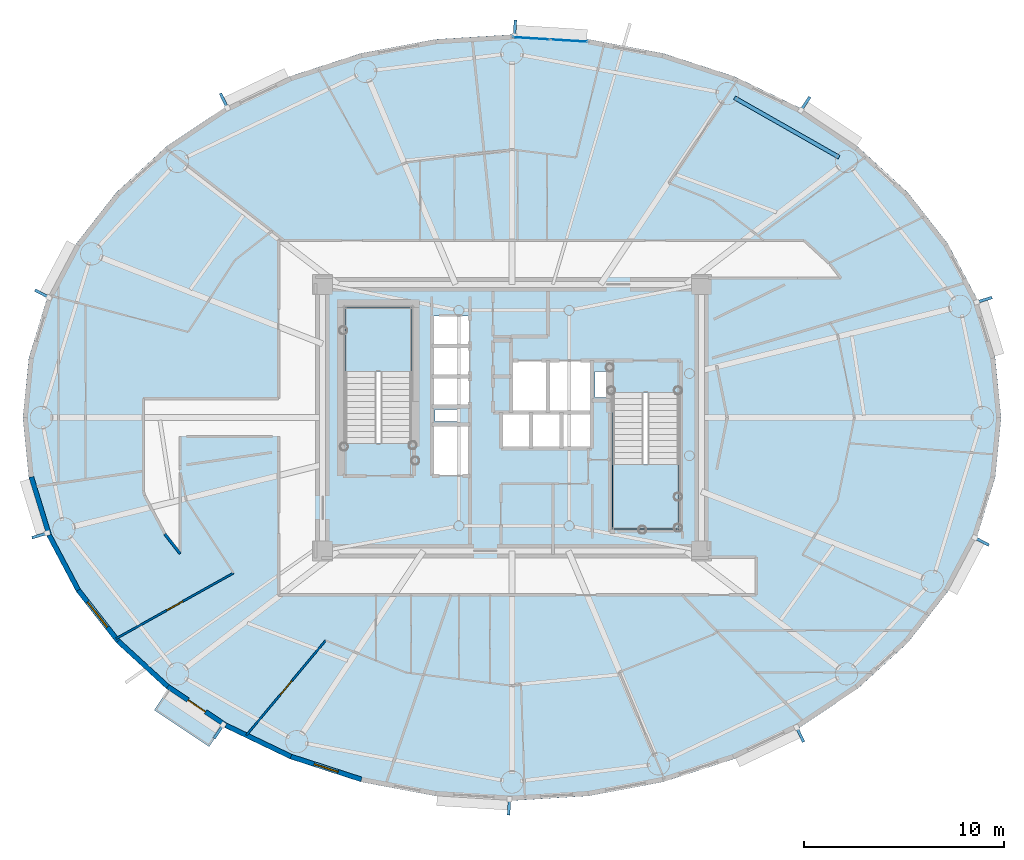
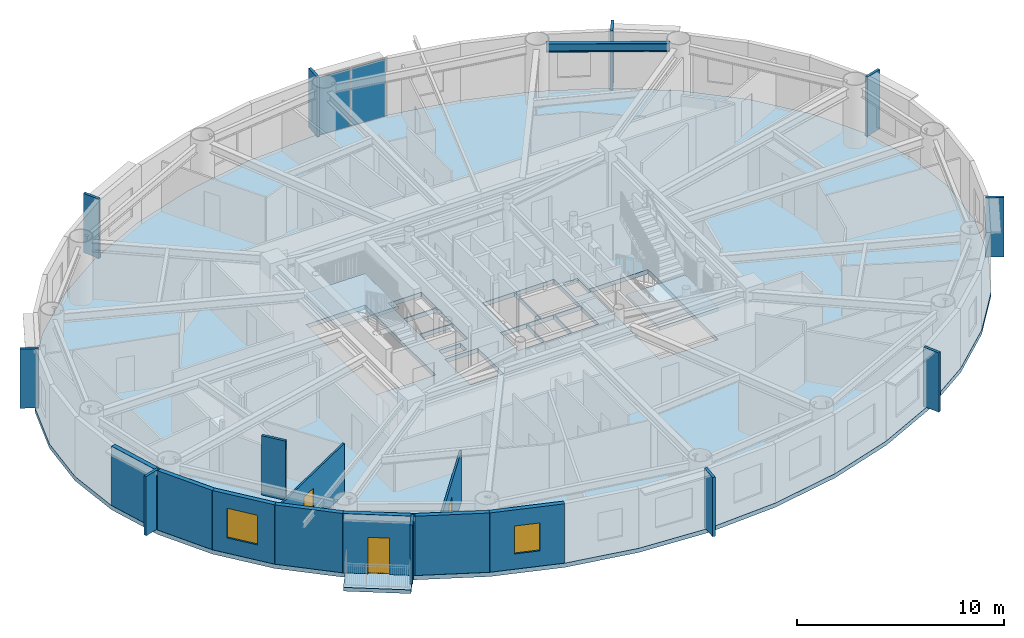
# One storey, part 6 of 19: 12 plates, 10 walls, 4 slabs, 3 doors, 2 windows, 1 beam, 5 openings, 3 elements without a shape of their own.
"""IFC4 building model written with IfcOpenShell, lengths in metres."""

from ifc_helpers import new_model, si_unit, direction, frame, frame_2d, origin, origin_2d, place, context, subcontext, project, spatial, polyline, rectangle, i_section, outline, extrude, source, transform, mapped, material, layer, layer_set, material_profile, profile_set, type_object, element, fill, aggregate, save


model = new_model("IFC4")

# Units and contexts
model_context = context("Model", 3, precision=1e-05, world=origin(), true_north=direction((0.0, 1.0)))
body_context = subcontext(model_context, "Body", "Model", "MODEL_VIEW")
ifc_project = project(units=[si_unit("LENGTHUNIT", "METRE"), si_unit("AREAUNIT", "SQUARE_METRE"), si_unit("VOLUMEUNIT", "CUBIC_METRE"), si_unit("PLANEANGLEUNIT", "RADIAN"), si_unit("MASSUNIT", "GRAM", prefix="KILO")], contexts=[model_context])

# Site, building, storey
site_placement = place(None, origin())
site = spatial("IfcSite", under=ifc_project, at=site_placement, CompositionType="ELEMENT")
building_placement = place(site_placement, origin())
building = spatial("IfcBuilding", under=site, at=building_placement, Name="Linh Dai School and Residence Tower", CompositionType="ELEMENT")
storey_placement = place(building_placement, frame((0.0, 0.0, 236.550048828125)))
storey = spatial("IfcBuildingStorey", under=building, at=storey_placement, Name="L58", CompositionType="ELEMENT", Elevation=236.550048828125)

# Beam
ifc_material_1 = material(Name="Structural Steel S355JR", Category="steel")
ifc_material_profile = material_profile(ifc_material_1, i_section(OverallWidth=0.199951171875, OverallDepth=0.5, WebThickness=0.01025390625, FlangeThickness=0.01611328125, FilletRadius=0.02099609375, at=origin_2d()), Name="IPE 500")
ifc_profile_set = profile_set([ifc_material_profile], Name="Structural Steel S355JR")
beam_type = type_object("IfcBeamType", Name="BM-RB50", PredefinedType="BEAM", material=ifc_profile_set)
beam_placement = place(storey_placement, frame((52.318115234375, 39.988525390625, 3.25), z_axis=(-0.869297314463, 0.494289570058, 0.0), x_axis=(-0.494289570058, -0.869297314463, 0.0)))
element("IfcBeam", 1, at=beam_placement, inside=storey, type_object=beam_type, Name="L58 Perimeter Elliptical Ring Beam 03", PredefinedType="BEAM", context=body_context, shape_type="SweptSolid", body=[
    extrude(i_section(OverallWidth=0.199951171875, OverallDepth=0.5, WebThickness=0.01025390625, FlangeThickness=0.01611328125, FilletRadius=0.02099609375, at=origin_2d()), origin(), (0.0, 0.0, 1.0), 6.003173828125),
])

# Slabs
ifc_material_2 = material(Name="Concrete B45 (C35/45)", Category="concrete")
ifc_layer_1 = layer(ifc_material_2, 0.219970703125)
ifc_layer_set_1 = layer_set([ifc_layer_1], Name="Concrete B45 (C35/45)")
slab_type_1 = type_object("IfcSlabType", Name="SLB-BALC-220", PredefinedType="FLOOR", material=ifc_layer_set_1)
slab_1_placement = place(storey_placement, frame((0.0, 0.0, -0.219970703125)))
element("IfcSlab", 2, at=slab_1_placement, inside=storey, type_object=slab_type_1, Name="L58 Sliding Balcony Slab 26", PredefinedType="FLOOR", context=body_context, shape_type="SweptSolid", body=[
    extrude(outline(polyline([(21.61181640625, 11.670654296875), (18.8818359375, 13.49609375), (18.1591796875, 12.41552734375), (20.88916015625, 10.58984375), (21.61181640625, 11.670654296875)])), origin(), (0.0, 0.0, 1.0), 0.219970703125),
])
ifc_layer_2 = layer(ifc_material_2, 0.25)
ifc_layer_set_2 = layer_set([ifc_layer_2], Name="Concrete B45 (C35/45)")
slab_type_2 = type_object("IfcSlabType", Name="SLB-FLR250", PredefinedType="FLOOR", material=ifc_layer_set_2)
slab_2_placement = place(storey_placement, frame((0.0, 0.0, -0.25)))
element("IfcSlab", 3, at=slab_2_placement, inside=storey, type_object=slab_type_2, Name="L58 Composite Structural Floor Slab", PredefinedType="FLOOR", context=body_context, shape_type="SweptSolid", body=[
    extrude(outline(polyline([(60.39990234375, 27.0), (60.099609375, 29.98876953125), (59.205810546875, 32.90380859375), (57.740478515625, 35.673583984375), (55.739990234375, 38.229736328125), (53.25341796875, 40.50927734375), (50.342041015625, 42.456298828125), (47.077392578125, 44.022705078125), (43.5400390625, 45.169921875), (39.81689453125, 45.869873046875), (36.0, 46.10498046875), (32.18310546875, 45.869873046875), (28.4599609375, 45.169921875), (24.922607421875, 44.022705078125), (21.657958984375, 42.456298828125), (18.74658203125, 40.50927734375), (16.260009765625, 38.229736328125), (14.259521484375, 35.673583984375), (12.794189453125, 32.90380859375), (11.900390625, 29.98876953125), (11.60009765625, 27.0), (11.900390625, 24.01123046875), (12.794189453125, 21.09619140625), (14.259521484375, 18.326416015625), (16.260009765625, 15.770263671875), (18.74658203125, 13.49072265625), (21.657958984375, 11.543701171875), (24.922607421875, 9.977294921875), (28.4599609375, 8.830078125), (32.18310546875, 8.130126953125), (36.0, 7.89501953125), (39.81689453125, 8.130126953125), (43.5400390625, 8.830078125), (47.077392578125, 9.977294921875), (50.342041015625, 11.543701171875), (53.25341796875, 13.49072265625), (55.739990234375, 15.770263671875), (57.740478515625, 18.326416015625), (59.205810546875, 21.09619140625), (60.099609375, 24.01123046875), (60.39990234375, 27.0)]), holes=[polyline([(30.97998046875, 25.699951171875), (30.97998046875, 32.5), (27.679931640625, 32.5), (27.679931640625, 25.699951171875), (30.97998046875, 25.699951171875)]), polyline([(41.02001953125, 28.25), (41.02001953125, 21.449951171875), (44.320068359375, 21.449951171875), (44.320068359375, 28.25), (41.02001953125, 28.25)]), polyline([(35.97998046875, 27.280029296875), (37.77001953125, 27.280029296875), (37.77001953125, 29.820068359375), (35.97998046875, 29.820068359375), (35.97998046875, 27.280029296875)]), polyline([(32.030029296875, 24.1298828125), (33.8701171875, 24.1298828125), (33.8701171875, 26.6201171875), (32.030029296875, 26.6201171875), (32.030029296875, 24.1298828125)]), polyline([(37.830078125, 27.280029296875), (39.969970703125, 27.280029296875), (39.969970703125, 29.820068359375), (37.830078125, 29.820068359375), (37.830078125, 27.280029296875)]), polyline([(32.030029296875, 27.580078125), (33.8701171875, 27.580078125), (33.8701171875, 29.030029296875), (32.030029296875, 29.030029296875), (32.030029296875, 27.580078125)]), polyline([(32.030029296875, 29.090087890625), (33.8701171875, 29.090087890625), (33.8701171875, 30.550048828125), (32.030029296875, 30.550048828125), (32.030029296875, 29.090087890625)]), polyline([(32.030029296875, 30.610107421875), (33.8701171875, 30.610107421875), (33.8701171875, 32.070068359375), (32.030029296875, 32.070068359375), (32.030029296875, 30.610107421875)]), polyline([(35.47998046875, 25.47998046875), (36.929931640625, 25.47998046875), (36.929931640625, 27.219970703125), (35.47998046875, 27.219970703125), (35.47998046875, 25.47998046875)]), polyline([(36.989990234375, 25.47998046875), (38.449951171875, 25.47998046875), (38.449951171875, 27.219970703125), (36.989990234375, 27.219970703125), (36.989990234375, 25.47998046875)]), polyline([(38.510009765625, 25.47998046875), (39.969970703125, 25.47998046875), (39.969970703125, 27.219970703125), (38.510009765625, 27.219970703125), (38.510009765625, 25.47998046875)]), polyline([(40.14990234375, 28.0), (40.14990234375, 29.300048828125), (41.0, 29.300048828125), (41.0, 28.280029296875), (40.989990234375, 28.280029296875), (40.989990234375, 28.0), (40.14990234375, 28.0)]), polyline([(32.14990234375, 26.800048828125), (33.35009765625, 26.800048828125), (33.35009765625, 27.39990234375), (32.14990234375, 27.39990234375), (32.14990234375, 26.800048828125)])]), origin(), (0.0, 0.0, 1.0), 0.25),
])

# Stair, slab
stair_type = type_object("IfcStairType", Name="ST-DOG-1550-R1442", PredefinedType="HALF_TURN_STAIR", material=ifc_material_2)
stair_1_placement = place(storey_placement, origin())
stair_1 = element("IfcStair", 4, at=stair_1_placement, inside=storey, type_object=stair_type, Name="L58 Core Smokeproof Exit Stair ST1", PredefinedType="HALF_TURN_STAIR")
ifc_layer_3 = layer(ifc_material_2, 0.199951171875)
ifc_layer_set_3 = layer_set([ifc_layer_3], Name="Concrete B45 (C35/45)")
slab_type_3 = type_object("IfcSlabType", Name="SLB-ST-LANDING-200", PredefinedType="LANDING", material=ifc_layer_set_3)
slab_3_placement = place(storey_placement, frame((0.0, 0.0, 1.675048828125)))
slab_3 = element("IfcSlab", 5, at=slab_3_placement, type_object=slab_type_3, Name="ST1 landing 1", PredefinedType="LANDING", context=body_context, shape_type="SweptSolid", body=[
    extrude(outline(polyline([(30.97998046875, 29.300048828125), (30.97998046875, 32.5), (27.679931640625, 32.5), (27.679931640625, 29.300048828125), (30.97998046875, 29.300048828125)])), origin(), (0.0, 0.0, 1.0), 0.199951171875),
])
aggregate(stair_1, [slab_3])

stair_2_placement = place(storey_placement, origin())
stair_2 = element("IfcStair", 6, at=stair_2_placement, inside=storey, type_object=stair_type, Name="L58 Core Smokeproof Exit Stair ST2", PredefinedType="HALF_TURN_STAIR")
slab_4_placement = place(storey_placement, frame((0.0, 0.0, 1.675048828125)))
slab_4 = element("IfcSlab", 7, at=slab_4_placement, type_object=slab_type_3, Name="ST2 landing 1", PredefinedType="LANDING", context=body_context, shape_type="SweptSolid", body=[
    extrude(outline(polyline([(41.02001953125, 24.64990234375), (41.02001953125, 21.449951171875), (44.320068359375, 21.449951171875), (44.320068359375, 24.64990234375), (41.02001953125, 24.64990234375)])), origin(), (0.0, 0.0, 1.0), 0.199951171875),
])
aggregate(stair_2, [slab_4])

# Plates
ifc_material_3 = material(Name="Precast Concrete B45 (C35/45)", Category="concrete")
ifc_layer_4 = layer(ifc_material_3, 0.139892578125)
ifc_layer_set_4 = layer_set([ifc_layer_4], Name="Precast Concrete B45 (C35/45)")
plate_type_1 = type_object("IfcPlateType", Name="FIN-TC-900x140", PredefinedType="USERDEFINED", material=ifc_layer_set_4)
shared_shape_1 = source(origin(), body_context, "Body", "SweptSolid", [
    extrude(rectangle(XDim=0.89990234375, YDim=0.139892578125, at=origin_2d()), origin(), (0.0, 0.0, 1.0), 3.5),
])
for number, where, z_axis, x_axis, name in (
    (8, (59.517578125, 32.861328125, 0.0), (0.0, 0.0, 1.0), (0.956064190994, 0.2931574026, 0.0), "L58 Precast Terracotta Radial Fin 02"),
    (9, (50.60791015625, 42.621826171875, 0.0), (0.0, 0.0, 1.0), (0.555887222025, 0.831257719597, 0.0), "L58 Precast Terracotta Radial Fin 06"),
    (10, (36.14501953125, 46.3818359375, 0.0), (0.0, 0.0, 1.0), (0.061504437922, 0.998106809974, 0.0), "L58 Precast Terracotta Radial Fin 10"),
    (11, (21.650634765625, 42.769287109375, 0.0), (0.0, 0.0, 1.0), (-0.432593941973, 0.901588864931, 0.0), "L58 Precast Terracotta Radial Fin 14"),
    (12, (12.603271484375, 33.153564453125, 0.0), (0.0, 0.0, 1.0), (-0.883928950783, 0.467621224891, 0.0), "L58 Precast Terracotta Radial Fin 18"),
    (13, (12.482421875, 21.138671875, 0.0), (0.0, 0.0, 1.0), (-0.956064190994, -0.2931574026, 0.0), "L58 Precast Terracotta Radial Fin 22"),
    (14, (21.39208984375, 11.378173828125, 0.0), (0.0, 0.0, 1.0), (-0.555887222025, -0.831257719597, 0.0), "L58 Precast Terracotta Radial Fin 26"),
    (15, (35.85498046875, 7.6181640625, 0.0), (0.0, 0.0, 1.0), (-0.061504437922, -0.998106809974, 0.0), "L58 Precast Terracotta Radial Fin 30"),
    (16, (50.349365234375, 11.230712890625, 0.0), (0.0, 0.0, 1.0), (0.432593941973, -0.901588864931, 0.0), "L58 Precast Terracotta Radial Fin 34"),
    (17, (59.396728515625, 20.846435546875, 0.0), (0.0, 0.0, 1.0), (0.883928950783, -0.467621224891, 0.0), "L58 Precast Terracotta Radial Fin 38"),
):
    element("IfcPlate", number, at=place(storey_placement, frame(where, z_axis=z_axis, x_axis=x_axis)), inside=storey, type_object=plate_type_1, Name=name, ObjectType="RADIAL FIN", PredefinedType="USERDEFINED", context=body_context, shape_type="MappedRepresentation", body=[
        mapped(shared_shape_1, transform((0.0, 0.0, 0.0), x_axis=(1.0, 0.0, 0.0), y_axis=(0.0, 1.0, 0.0), z_axis=(0.0, 0.0, 1.0), scale=1.0)),
    ])

# Curtain wall, plates
ifc_material_4 = material(Name="Aluminium Anodised Curtain Wall", Category="aluminium")
ifc_layer_5 = layer(ifc_material_4, 0.14990234375)
ifc_layer_set_5 = layer_set([ifc_layer_5], Name="Aluminium Anodised Curtain Wall")
curtain_wall_type = type_object("IfcCurtainWallType", Name="CW-SYS-4", PredefinedType="USERDEFINED", material=ifc_layer_set_5)
curtain_wall_placement = place(storey_placement, origin())
curtain_wall = element("IfcCurtainWall", 18, at=curtain_wall_placement, inside=storey, type_object=curtain_wall_type, Name="L58 CW4 Curtain Wall 10", ObjectType="RIBBON CURTAIN WALL", PredefinedType="USERDEFINED")
ifc_material_5 = material(Name="Double Low-E Insulated Glazing", Category="glass")
ifc_layer_6 = layer(ifc_material_5, 0.02587890625)
ifc_layer_set_6 = layer_set([ifc_layer_6], Name="Double Low-E Insulated Glazing")
plate_type_2 = type_object("IfcPlateType", Name="CW-SYS-4-PAN", PredefinedType="CURTAIN_PANEL", material=ifc_layer_set_6)
shared_shape_2 = source(origin(), body_context, "Body", "SweptSolid", [
    extrude(rectangle(XDim=1.826416015625, YDim=0.02587890625, at=origin_2d()), origin(), (0.0, 0.0, 1.0), 3.39599609375),
])
plate_1_placement = place(storey_placement, frame((36.96337890625, 45.920654296875, 0.052001953125), z_axis=(0.0, 0.0, 1.0), x_axis=(0.998106809974, -0.061504437922, 0.0)))
plate_1 = element("IfcPlate", 19, at=plate_1_placement, type_object=plate_type_2, Name="CW4 panel 1.1", PredefinedType="CURTAIN_PANEL", context=body_context, shape_type="MappedRepresentation", body=[
    mapped(shared_shape_2, transform((0.0, 0.0, 0.0), x_axis=(1.0, 0.0, 0.0), y_axis=(0.0, 1.0, 0.0), z_axis=(0.0, 0.0, 1.0), scale=1.0)),
])
plate_2_placement = place(storey_placement, frame((38.838134765625, 45.80517578125, 0.052001953125), z_axis=(0.0, 0.0, 1.0), x_axis=(0.998106809974, -0.061504437922, 0.0)))
plate_2 = element("IfcPlate", 20, at=plate_2_placement, type_object=plate_type_2, Name="CW4 panel 2.1", PredefinedType="CURTAIN_PANEL", context=body_context, shape_type="MappedRepresentation", body=[
    mapped(shared_shape_2, transform((0.0, 0.0, 0.0), x_axis=(1.0, 0.0, 0.0), y_axis=(0.0, 1.0, 0.0), z_axis=(0.0, 0.0, 1.0), scale=1.0)),
])
aggregate(curtain_wall, [plate_1, plate_2])

# Walls
ifc_layer_7 = layer(ifc_material_3, 0.239990234375)
ifc_layer_set_7 = layer_set([ifc_layer_7], Name="Precast Concrete B45 (C35/45)")
wall_type_1 = type_object("IfcWallType", Name="EW-TC-240", PredefinedType="SOLIDWALL", material=ifc_layer_set_7)
wall_1_placement = place(storey_placement, frame((12.90966796875, 21.14404296875, 0.0), z_axis=(0.0, 0.0, 1.0), x_axis=(-0.293132907334, 0.95607170162, 0.0)))
element("IfcWall", 21, at=wall_1_placement, inside=storey, type_object=wall_type_1, Name="L58 Terracotta Exterior Wall 22", PredefinedType="SOLIDWALL", context=body_context, shape_type="SweptSolid", body=[
    extrude(rectangle(XDim=3.02490234375, YDim=0.239990234375, at=frame_2d((1.512451171875, 0.0))), origin(), (0.0, 0.0, 1.0), 3.5),
])
wall_2_placement = place(storey_placement, frame((14.3642578125, 18.394775390625, 0.0), z_axis=(0.0, 0.0, 1.0), x_axis=(-0.46766049993, 0.883908172157, 0.0)))
element("IfcWall", 22, at=wall_2_placement, inside=storey, type_object=wall_type_1, Name="L58 Terracotta Exterior Wall 23", PredefinedType="SOLIDWALL", context=body_context, shape_type="SweptSolid", body=[
    extrude(rectangle(XDim=3.1103515625, YDim=0.239990234375, at=frame_2d((1.55517578125, 0.0))), origin(), (0.0, 0.0, 1.0), 3.5),
])

# Wall, opening, window
wall_3_placement = place(storey_placement, frame((16.3515625, 15.85546875, 0.0), z_axis=(0.0, 0.0, 1.0), x_axis=(-0.616312344705, 0.787501805562, 0.0)))
wall_3 = element("IfcWall", 23, at=wall_3_placement, inside=storey, type_object=wall_type_1, Name="L58 Terracotta Exterior Wall 24", PredefinedType="SOLIDWALL", context=body_context, shape_type="SweptSolid", body=[
    extrude(rectangle(XDim=3.224609375, YDim=0.239990234375, at=frame_2d((1.6123046875, 0.0))), origin(), (0.0, 0.0, 1.0), 3.5),
])
opening_1_placement = place(wall_3_placement, frame((0.8759765625, 0.0, 0.89990234375)))
opening_1 = element("IfcOpeningElement", 24, at=opening_1_placement, cuts=wall_3, Name="Opening W2", PredefinedType="OPENING", context=body_context, shape_type="SweptSolid", body=[
    extrude(rectangle(XDim=1.60009765625, YDim=1.75, at=origin_2d()), frame((0.800048828125, 0.1298828125, 0.875), z_axis=(0.0, -1.0, 0.0), x_axis=(1.0, 0.0, 0.0)), (0.0, 0.0, 1.0), 0.260009765625),
])
window_type_1 = type_object("IfcWindowType", Name="WN-RES-1600x1750", PartitioningType="DOUBLE_PANEL_VERTICAL", PredefinedType="WINDOW", material=ifc_material_5)
shared_shape_3 = source(origin(), body_context, "Body", "SweptSolid", [
    extrude(rectangle(XDim=1.60009765625, YDim=1.75, at=origin_2d()), frame((0.800048828125, 0.030029296875, 0.875), z_axis=(0.0, -1.0, 0.0), x_axis=(1.0, 0.0, 0.0)), (0.0, 0.0, 1.0), 0.06005859375),
])
window_1_placement = place(opening_1_placement, origin())
window_1 = element("IfcWindow", 25, at=window_1_placement, inside=storey, type_object=window_type_1, Name="L58 Exterior Window 24.1", OverallHeight=1.75, OverallWidth=1.60009765625, PartitioningType="DOUBLE_PANEL_VERTICAL", PredefinedType="WINDOW", context=body_context, shape_type="MappedRepresentation", body=[
    mapped(shared_shape_3, transform((0.0, 0.0, 0.0), x_axis=(1.0, 0.0, 0.0), y_axis=(0.0, 1.0, 0.0), z_axis=(0.0, 0.0, 1.0), scale=1.0)),
])
fill(opening_1, window_1)

# Wall
wall_4_placement = place(storey_placement, frame((18.82373046875, 13.589111328125, 0.0), z_axis=(0.0, 0.0, 1.0), x_axis=(-0.737123922599, 0.675757591694, 0.0)))
element("IfcWall", 26, at=wall_4_placement, inside=storey, type_object=wall_type_1, Name="L58 Terracotta Exterior Wall 25", PredefinedType="SOLIDWALL", context=body_context, shape_type="SweptSolid", body=[
    extrude(rectangle(XDim=3.353759765625, YDim=0.239990234375, at=frame_2d((1.6767578125, 0.0))), origin(), (0.0, 0.0, 1.0), 3.5),
])

# Wall, opening, door
wall_5_placement = place(storey_placement, frame((21.719970703125, 11.65234375, 0.0), z_axis=(0.0, 0.0, 1.0), x_axis=(-0.831262496074, 0.555880079352, 0.0)))
wall_5 = element("IfcWall", 27, at=wall_5_placement, inside=storey, type_object=wall_type_1, Name="L58 Terracotta Exterior Wall 26", PredefinedType="SOLIDWALL", context=body_context, shape_type="SweptSolid", body=[
    extrude(rectangle(XDim=3.484130859375, YDim=0.239990234375, at=frame_2d((1.7421875, 0.0))), origin(), (0.0, 0.0, 1.0), 3.5),
])
opening_2_placement = place(wall_5_placement, frame((1.217041015625, 0.0, 0.0)))
opening_2 = element("IfcOpeningElement", 28, at=opening_2_placement, cuts=wall_5, Name="Opening BD1", PredefinedType="OPENING", context=body_context, shape_type="SweptSolid", body=[
    extrude(rectangle(XDim=1.050048828125, YDim=2.14990234375, at=origin_2d()), frame((0.52490234375, 0.1298828125, 1.074951171875), z_axis=(0.0, -1.0, 0.0), x_axis=(1.0, 0.0, 0.0)), (0.0, 0.0, 1.0), 0.260009765625),
])
ifc_material_6 = material(Name="Double-Glazed Balcony Door", Category="glass")
door_type_1 = type_object("IfcDoorType", Name="DR-BALC-1050x2150", OperationType="NOTDEFINED", PredefinedType="DOOR", material=ifc_material_6)
shared_shape_4 = source(origin(), body_context, "Body", "SweptSolid", [
    extrude(rectangle(XDim=1.050048828125, YDim=2.14990234375, at=origin_2d()), frame((0.52490234375, 0.02490234375, 1.074951171875), z_axis=(0.0, -1.0, 0.0), x_axis=(1.0, 0.0, 0.0)), (0.0, 0.0, 1.0), 0.050048828125),
])
door_1_placement = place(opening_2_placement, origin())
door_1 = element("IfcDoor", 29, at=door_1_placement, inside=storey, type_object=door_type_1, Name="L58 Glazed Balcony Door 26", OperationType="SINGLE_SWING_LEFT", OverallHeight=2.14990234375, OverallWidth=1.050048828125, PredefinedType="DOOR", context=body_context, shape_type="MappedRepresentation", body=[
    mapped(shared_shape_4, transform((0.0, 0.0, 0.0), x_axis=(1.0, 0.0, 0.0), y_axis=(0.0, 1.0, 0.0), z_axis=(0.0, 0.0, 1.0), scale=1.0)),
])
fill(opening_2, door_1)

# Wall
wall_6_placement = place(storey_placement, frame((24.968994140625, 10.093505859375, 0.0), z_axis=(0.0, 0.0, 1.0), x_axis=(-0.901598104751, 0.432574684313, 0.0)))
element("IfcWall", 30, at=wall_6_placement, inside=storey, type_object=wall_type_1, Name="L58 Terracotta Exterior Wall 27", PredefinedType="SOLIDWALL", context=body_context, shape_type="SweptSolid", body=[
    extrude(rectangle(XDim=3.603515625, YDim=0.239990234375, at=frame_2d((1.8017578125, 0.0))), origin(), (0.0, 0.0, 1.0), 3.5),
])

# Wall, opening, window
wall_7_placement = place(storey_placement, frame((28.49072265625, 8.951171875, 0.0), z_axis=(0.0, 0.0, 1.0), x_axis=(-0.951210789182, 0.308541787354, 0.0)))
wall_7 = element("IfcWall", 31, at=wall_7_placement, inside=storey, type_object=wall_type_1, Name="L58 Terracotta Exterior Wall 28", PredefinedType="SOLIDWALL", context=body_context, shape_type="SweptSolid", body=[
    extrude(rectangle(XDim=3.702392578125, YDim=0.239990234375, at=frame_2d((1.85107421875, 0.0))), origin(), (0.0, 0.0, 1.0), 3.5),
])
opening_3_placement = place(wall_7_placement, frame((1.226318359375, 0.0, 0.89990234375)))
opening_3 = element("IfcOpeningElement", 32, at=opening_3_placement, cuts=wall_7, Name="Opening W3", PredefinedType="OPENING", context=body_context, shape_type="SweptSolid", body=[
    extrude(rectangle(XDim=1.25, YDim=1.64990234375, at=origin_2d()), frame((0.625, 0.1298828125, 0.824951171875), z_axis=(0.0, -1.0, 0.0), x_axis=(1.0, 0.0, 0.0)), (0.0, 0.0, 1.0), 0.260009765625),
])
window_type_2 = type_object("IfcWindowType", Name="WN-RES-1250x1650", PartitioningType="SINGLE_PANEL", PredefinedType="WINDOW", material=ifc_material_5)
shared_shape_5 = source(origin(), body_context, "Body", "SweptSolid", [
    extrude(rectangle(XDim=1.25, YDim=1.64990234375, at=origin_2d()), frame((0.625, 0.030029296875, 0.824951171875), z_axis=(0.0, -1.0, 0.0), x_axis=(1.0, 0.0, 0.0)), (0.0, 0.0, 1.0), 0.06005859375),
])
window_2_placement = place(opening_3_placement, origin())
window_2 = element("IfcWindow", 33, at=window_2_placement, inside=storey, type_object=window_type_2, Name="L58 Dwelling Window U5803-BD2", OverallHeight=1.64990234375, OverallWidth=1.25, PartitioningType="SINGLE_PANEL", PredefinedType="WINDOW", context=body_context, shape_type="MappedRepresentation", body=[
    mapped(shared_shape_5, transform((0.0, 0.0, 0.0), x_axis=(1.0, 0.0, 0.0), y_axis=(0.0, 1.0, 0.0), z_axis=(0.0, 0.0, 1.0), scale=1.0)),
])
fill(opening_3, window_2)

# Wall
ifc_material_7 = material(Name="Autoclaved Aerated Concrete Blockwork", Category="masonry")
ifc_layer_8 = layer(ifc_material_7, 0.135009765625)
ifc_layer_set_8 = layer_set([ifc_layer_8], Name="Autoclaved Aerated Concrete Blockwork")
wall_type_2 = type_object("IfcWallType", Name="IW-CORR-135-EI90", PredefinedType="PARTITIONING", material=ifc_layer_set_8)
wall_8_placement = place(storey_placement, frame((18.6806640625, 21.1943359375, 0.0), z_axis=(0.0, 0.0, 1.0), x_axis=(0.616239706802, -0.787558647823, 0.0)))
element("IfcWall", 34, at=wall_8_placement, inside=storey, type_object=wall_type_2, Name="L58 Interior Partition Wall 011", PredefinedType="PARTITIONING", context=body_context, shape_type="SweptSolid", body=[
    extrude(rectangle(XDim=1.248291015625, YDim=0.135009765625, at=frame_2d((0.6240234375, 0.0))), origin(), (0.0, 0.0, 1.0), 3.5),
])

# Wall, opening, door
ifc_material_8 = material(Name="Gypsum Plasterboard Acoustic Stud Partition", Category="masonry")
ifc_layer_9 = layer(ifc_material_8, 0.10009765625)
ifc_layer_set_9 = layer_set([ifc_layer_9], Name="Gypsum Plasterboard Acoustic Stud Partition")
wall_type_3 = type_object("IfcWallType", Name="IW-UNIT-100", PredefinedType="PARTITIONING", material=ifc_layer_set_9)
wall_9_placement = place(storey_placement, frame((16.250244140625, 15.97705078125, 0.0), z_axis=(0.0, 0.0, 1.0), x_axis=(0.87319302211, 0.487374543999, 0.0)))
wall_9 = element("IfcWall", 35, at=wall_9_placement, inside=storey, type_object=wall_type_3, Name="L58 Interior Partition Wall 006", PredefinedType="PARTITIONING", context=body_context, shape_type="SweptSolid", body=[
    extrude(rectangle(XDim=6.7119140625, YDim=0.10009765625, at=frame_2d((3.35595703125, 0.0))), origin(), (0.0, 0.0, 1.0), 2.98486328125),
])
opening_4_placement = place(wall_9_placement, frame((2.906005859375, 0.0, 0.0)))
opening_4 = element("IfcOpeningElement", 36, at=opening_4_placement, cuts=wall_9, Name="Opening D05", PredefinedType="OPENING", context=body_context, shape_type="SweptSolid", body=[
    extrude(rectangle(XDim=0.89990234375, YDim=2.10009765625, at=origin_2d()), frame((0.449951171875, 0.06005859375, 1.050048828125), z_axis=(0.0, -1.0, 0.0), x_axis=(1.0, 0.0, 0.0)), (0.0, 0.0, 1.0), 0.1201171875),
])
ifc_material_9 = material(Name="Engineered Timber Internal Door", Category="wood")
door_type_2 = type_object("IfcDoorType", Name="DR-INT-900x2100", OperationType="NOTDEFINED", PredefinedType="DOOR", material=ifc_material_9)
shared_shape_6 = source(origin(), body_context, "Body", "SweptSolid", [
    extrude(rectangle(XDim=0.89990234375, YDim=2.10009765625, at=origin_2d()), frame((0.449951171875, 0.02490234375, 1.050048828125), z_axis=(0.0, -1.0, 0.0), x_axis=(1.0, 0.0, 0.0)), (0.0, 0.0, 1.0), 0.050048828125),
])
door_2_placement = place(opening_4_placement, origin())
door_2 = element("IfcDoor", 37, at=door_2_placement, inside=storey, type_object=door_type_2, Name="L58 Apartment U5803 Principal Bedroom 1 Door", OperationType="SINGLE_SWING_LEFT", OverallHeight=2.10009765625, OverallWidth=0.89990234375, PredefinedType="DOOR", context=body_context, shape_type="MappedRepresentation", body=[
    mapped(shared_shape_6, transform((0.0, 0.0, 0.0), x_axis=(1.0, 0.0, 0.0), y_axis=(0.0, 1.0, 0.0), z_axis=(0.0, 0.0, 1.0), scale=1.0)),
])
fill(opening_4, door_2)

wall_10_placement = place(storey_placement, frame((22.7470703125, 11.154052734375, 0.0), z_axis=(0.0, 0.0, 1.0), x_axis=(0.641565789242, 0.767068013982, 0.0)))
wall_10 = element("IfcWall", 38, at=wall_10_placement, inside=storey, type_object=wall_type_3, Name="L58 Interior Partition Wall 019", PredefinedType="PARTITIONING", context=body_context, shape_type="SweptSolid", body=[
    extrude(rectangle(XDim=6.166748046875, YDim=0.10009765625, at=frame_2d((3.08349609375, 0.0))), origin(), (0.0, 0.0, 1.0), 2.98486328125),
])
opening_5_placement = place(wall_10_placement, frame((2.63330078125, 0.0, 0.0)))
opening_5 = element("IfcOpeningElement", 39, at=opening_5_placement, cuts=wall_10, Name="Opening D05", PredefinedType="OPENING", context=body_context, shape_type="SweptSolid", body=[
    extrude(rectangle(XDim=0.89990234375, YDim=2.10009765625, at=origin_2d()), frame((0.449951171875, 0.06005859375, 1.050048828125), z_axis=(0.0, -1.0, 0.0), x_axis=(1.0, 0.0, 0.0)), (0.0, 0.0, 1.0), 0.1201171875),
])
door_3_placement = place(opening_5_placement, origin())
door_3 = element("IfcDoor", 40, at=door_3_placement, inside=storey, type_object=door_type_2, Name="L58 Apartment U5803 Bedroom 2 Door", OperationType="SINGLE_SWING_RIGHT", OverallHeight=2.10009765625, OverallWidth=0.89990234375, PredefinedType="DOOR", context=body_context, shape_type="MappedRepresentation", body=[
    mapped(shared_shape_6, transform((0.0, 0.0, 0.0), x_axis=(1.0, 0.0, 0.0), y_axis=(0.0, 1.0, 0.0), z_axis=(0.0, 0.0, 1.0), scale=1.0)),
])
fill(opening_5, door_3)

save(model, "model.ifc")
